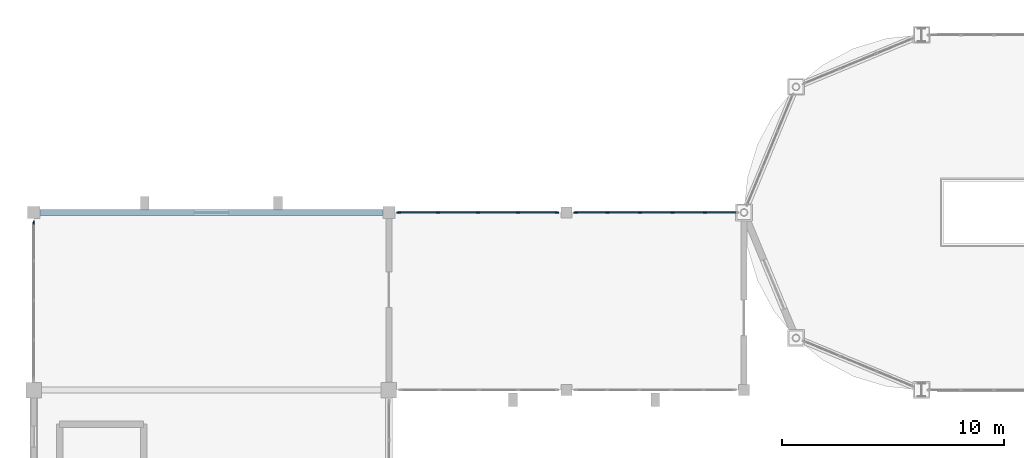
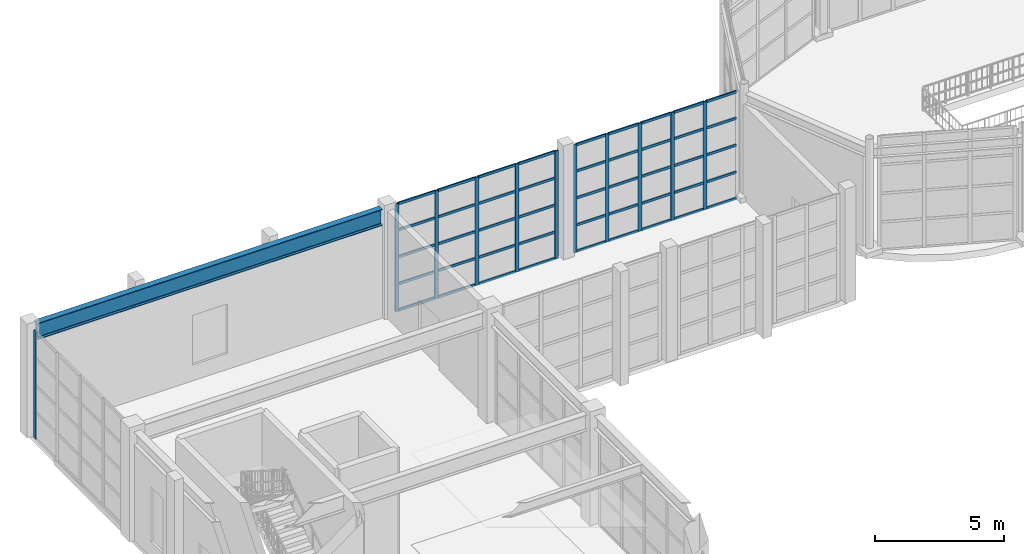
# One storey, part 28 of 82: 56 members, 1 beam, 3 elements without a shape of their own.
"""IFC4 building model written with IfcOpenShell, lengths in metres."""

from ifc_helpers import new_model, si_unit, direction, frame, origin, origin_2d, place, context, subcontext, project, spatial, rectangle, i_section, extrude, material, material_profile, profile_set, type_object, element, aggregate, save


model = new_model("IFC4")

# Units and contexts
model_context = context("Model", 3, precision=1e-05, world=origin(), true_north=direction((0.0, 1.0)))
body_context = subcontext(model_context, "Body", "Model", "MODEL_VIEW")
ifc_project = project(units=[si_unit("LENGTHUNIT", "METRE"), si_unit("AREAUNIT", "SQUARE_METRE"), si_unit("VOLUMEUNIT", "CUBIC_METRE"), si_unit("PLANEANGLEUNIT", "RADIAN"), si_unit("MASSUNIT", "GRAM", prefix="KILO")], contexts=[model_context])

# Site, building, storey
site_placement = place(None, origin())
site = spatial("IfcSite", under=ifc_project, at=site_placement, CompositionType="ELEMENT")
building_placement = place(site_placement, origin())
building = spatial("IfcBuilding", under=site, at=building_placement, Name="Serraluz Foothill Cableway Terminal", CompositionType="ELEMENT")
storey_placement = place(building_placement, frame((0.0, 0.0, 9.60009765625)))
storey = spatial("IfcBuildingStorey", under=building, at=storey_placement, Name="L02", CompositionType="ELEMENT", Elevation=9.60009765625)

# Beam
ifc_material_1 = material(Name="Steel ASTM A992 Grade 50", Category="steel")
ifc_material_profile_1 = material_profile(ifc_material_1, i_section(OverallWidth=0.26806640625, OverallDepth=0.77001953125, WebThickness=0.015625, FlangeThickness=0.025390625, FilletRadius=0.02197265625, at=origin_2d()), Name="W30X132")
ifc_profile_set_1 = profile_set([ifc_material_profile_1], Name="Steel ASTM A992 Grade 50")
beam_type = type_object("IfcBeamType", Name="TYP-BM-W30X132", PredefinedType="BEAM", material=ifc_profile_set_1)
beam_placement = place(storey_placement, frame((0.27099609375, 64.0, 4.764892578125), z_axis=(1.0, 0.0, 0.0), x_axis=(0.0, 1.0, 0.0)))
element("IfcBeam", 1, at=beam_placement, inside=storey, type_object=beam_type, Name="Primary Girder BM-X-L02-0311", PredefinedType="BEAM", context=body_context, shape_type="SweptSolid", body=[
    extrude(i_section(OverallWidth=0.26806640625, OverallDepth=0.77001953125, WebThickness=0.015625, FlangeThickness=0.025390625, FilletRadius=0.02197265625, at=origin_2d()), origin(), (0.0, 0.0, 1.0), 15.4580078125),
])

# Curtain wall, member
ifc_material_2 = material(Name="Architectural bronze alloy C28000", Category="aluminium")
curtain_wall_type_1 = type_object("IfcCurtainWallType", Name="TYP-CW-540X420", PredefinedType="NOTDEFINED", material=ifc_material_2)
curtain_wall_1_placement = place(storey_placement, origin())
curtain_wall_1 = element("IfcCurtainWall", 2, at=curtain_wall_1_placement, inside=storey, type_object=curtain_wall_type_1, Name="Ribbed Glazed Curtain Wall CW-V5W-L02-56", PredefinedType="NOTDEFINED")
ifc_material_profile_2 = material_profile(ifc_material_2, rectangle(XDim=0.06005859375, YDim=0.159912109375, at=origin_2d()), Name="ALU MULLION 60x160")
ifc_profile_set_2 = profile_set([ifc_material_profile_2], Name="Architectural bronze alloy C28000")
member_type_1 = type_object("IfcMemberType", Name="TYP-CW-MUL-60X160", PredefinedType="MULLION", material=ifc_profile_set_2)
member_1_placement = place(storey_placement, frame((0.0, 63.554931640625, 0.0), z_axis=(0.0, 0.0, 1.0), x_axis=(-1.0, 0.0, 0.0)))
member_1 = element("IfcMember", 3, at=member_1_placement, type_object=member_type_1, Name="CW-10 mullion 5", PredefinedType="MULLION", context=body_context, shape_type="SweptSolid", body=[
    extrude(rectangle(XDim=0.06005859375, YDim=0.159912109375, at=origin_2d()), origin(), (0.0, 0.0, 1.0), 5.099853515625),
])
aggregate(curtain_wall_1, [member_1])

# Curtain wall, members
curtain_wall_type_2 = type_object("IfcCurtainWallType", Name="TYP-CW-710X420", PredefinedType="NOTDEFINED", material=ifc_material_2)
curtain_wall_2_placement = place(storey_placement, origin())
curtain_wall_2 = element("IfcCurtainWall", 4, at=curtain_wall_2_placement, inside=storey, type_object=curtain_wall_type_2, Name="Ribbed Glazed Curtain Wall CW-WLN-L02-16", PredefinedType="NOTDEFINED")
member_2_placement = place(storey_placement, frame((16.445068359375, 64.0, 0.0), z_axis=(0.0, 0.0, 1.0), x_axis=(0.0, 1.0, 0.0)))
member_2 = element("IfcMember", 5, at=member_2_placement, type_object=member_type_1, Name="CW-01 mullion 1", PredefinedType="MULLION", context=body_context, shape_type="SweptSolid", body=[
    extrude(rectangle(XDim=0.06005859375, YDim=0.159912109375, at=origin_2d()), origin(), (0.0, 0.0, 1.0), 5.099853515625),
])
member_3_placement = place(storey_placement, frame((18.2138671875, 64.0, 0.0), z_axis=(0.0, 0.0, 1.0), x_axis=(0.0, 1.0, 0.0)))
member_3 = element("IfcMember", 6, at=member_3_placement, type_object=member_type_1, Name="CW-01 mullion 2", PredefinedType="MULLION", context=body_context, shape_type="SweptSolid", body=[
    extrude(rectangle(XDim=0.06005859375, YDim=0.159912109375, at=origin_2d()), origin(), (0.0, 0.0, 1.0), 5.099853515625),
])
member_4_placement = place(storey_placement, frame((20.012451171875, 64.0, 0.0), z_axis=(0.0, 0.0, 1.0), x_axis=(0.0, 1.0, 0.0)))
member_4 = element("IfcMember", 7, at=member_4_placement, type_object=member_type_1, Name="CW-01 mullion 3", PredefinedType="MULLION", context=body_context, shape_type="SweptSolid", body=[
    extrude(rectangle(XDim=0.06005859375, YDim=0.159912109375, at=origin_2d()), origin(), (0.0, 0.0, 1.0), 5.099853515625),
])
member_5_placement = place(storey_placement, frame((21.811279296875, 64.0, 0.0), z_axis=(0.0, 0.0, 1.0), x_axis=(0.0, 1.0, 0.0)))
member_5 = element("IfcMember", 8, at=member_5_placement, type_object=member_type_1, Name="CW-01 mullion 4", PredefinedType="MULLION", context=body_context, shape_type="SweptSolid", body=[
    extrude(rectangle(XDim=0.06005859375, YDim=0.159912109375, at=origin_2d()), origin(), (0.0, 0.0, 1.0), 5.099853515625),
])
member_6_placement = place(storey_placement, frame((23.580078125, 64.0, 0.0), z_axis=(0.0, 0.0, 1.0), x_axis=(0.0, 1.0, 0.0)))
member_6 = element("IfcMember", 9, at=member_6_placement, type_object=member_type_1, Name="CW-01 mullion 5", PredefinedType="MULLION", context=body_context, shape_type="SweptSolid", body=[
    extrude(rectangle(XDim=0.06005859375, YDim=0.159912109375, at=origin_2d()), origin(), (0.0, 0.0, 1.0), 5.099853515625),
])

curtain_wall_3_placement = place(storey_placement, origin())
curtain_wall_3 = element("IfcCurtainWall", 10, at=curtain_wall_3_placement, inside=storey, type_object=curtain_wall_type_2, Name="Ribbed Glazed Curtain Wall CW-WLN-L02-24", PredefinedType="NOTDEFINED")
member_7_placement = place(storey_placement, frame((24.419921875, 64.0, 0.0), z_axis=(0.0, 0.0, 1.0), x_axis=(0.0, 1.0, 0.0)))
member_7 = element("IfcMember", 11, at=member_7_placement, type_object=member_type_1, Name="CW-01 mullion 1", PredefinedType="MULLION", context=body_context, shape_type="SweptSolid", body=[
    extrude(rectangle(XDim=0.06005859375, YDim=0.159912109375, at=origin_2d()), origin(), (0.0, 0.0, 1.0), 5.099853515625),
])
member_8_placement = place(storey_placement, frame((25.8515625, 64.0, 0.0), z_axis=(0.0, 0.0, 1.0), x_axis=(0.0, 1.0, 0.0)))
member_8 = element("IfcMember", 12, at=member_8_placement, type_object=member_type_1, Name="CW-01 mullion 2", PredefinedType="MULLION", context=body_context, shape_type="SweptSolid", body=[
    extrude(rectangle(XDim=0.06005859375, YDim=0.159912109375, at=origin_2d()), origin(), (0.0, 0.0, 1.0), 5.099853515625),
])
member_9_placement = place(storey_placement, frame((27.313232421875, 64.0, 0.0), z_axis=(0.0, 0.0, 1.0), x_axis=(0.0, 1.0, 0.0)))
member_9 = element("IfcMember", 13, at=member_9_placement, type_object=member_type_1, Name="CW-01 mullion 3", PredefinedType="MULLION", context=body_context, shape_type="SweptSolid", body=[
    extrude(rectangle(XDim=0.06005859375, YDim=0.159912109375, at=origin_2d()), origin(), (0.0, 0.0, 1.0), 5.099853515625),
])
member_10_placement = place(storey_placement, frame((28.77490234375, 64.0, 0.0), z_axis=(0.0, 0.0, 1.0), x_axis=(0.0, 1.0, 0.0)))
member_10 = element("IfcMember", 14, at=member_10_placement, type_object=member_type_1, Name="CW-01 mullion 4", PredefinedType="MULLION", context=body_context, shape_type="SweptSolid", body=[
    extrude(rectangle(XDim=0.06005859375, YDim=0.159912109375, at=origin_2d()), origin(), (0.0, 0.0, 1.0), 5.099853515625),
])
member_11_placement = place(storey_placement, frame((30.236328125, 64.0, 0.0), z_axis=(0.0, 0.0, 1.0), x_axis=(0.0, 1.0, 0.0)))
member_11 = element("IfcMember", 15, at=member_11_placement, type_object=member_type_1, Name="CW-01 mullion 5", PredefinedType="MULLION", context=body_context, shape_type="SweptSolid", body=[
    extrude(rectangle(XDim=0.06005859375, YDim=0.159912109375, at=origin_2d()), origin(), (0.0, 0.0, 1.0), 5.099853515625),
])

# Member
ifc_material_profile_3 = material_profile(ifc_material_2, rectangle(XDim=0.06005859375, YDim=0.1201171875, at=origin_2d()), Name="ALU TRANSOM 60x120")
ifc_profile_set_3 = profile_set([ifc_material_profile_3], Name="Architectural bronze alloy C28000")
member_type_2 = type_object("IfcMemberType", Name="TYP-CW-TRN-60X120", PredefinedType="USERDEFINED", material=ifc_profile_set_3)
member_12_placement = place(storey_placement, frame((16.47509765625, 64.0, 0.02978515625), z_axis=(1.0, 0.0, 0.0), x_axis=(0.0, 1.0, 0.0)))
member_12 = element("IfcMember", 16, at=member_12_placement, type_object=member_type_2, Name="CW-01 transom 1.1", ObjectType="TRANSOM", PredefinedType="USERDEFINED", context=body_context, shape_type="SweptSolid", body=[
    extrude(rectangle(XDim=0.06005859375, YDim=0.1201171875, at=origin_2d()), origin(), (0.0, 0.0, 1.0), 1.708740234375),
])

member_13_placement = place(storey_placement, frame((16.47509765625, 64.0, 1.27490234375), z_axis=(1.0, 0.0, 0.0), x_axis=(0.0, 1.0, 0.0)))
member_13 = element("IfcMember", 17, at=member_13_placement, type_object=member_type_2, Name="CW-01 transom 1.2", ObjectType="TRANSOM", PredefinedType="USERDEFINED", context=body_context, shape_type="SweptSolid", body=[
    extrude(rectangle(XDim=0.06005859375, YDim=0.1201171875, at=origin_2d()), origin(), (0.0, 0.0, 1.0), 1.708740234375),
])

member_14_placement = place(storey_placement, frame((16.47509765625, 64.0, 2.5498046875), z_axis=(1.0, 0.0, 0.0), x_axis=(0.0, 1.0, 0.0)))
member_14 = element("IfcMember", 18, at=member_14_placement, type_object=member_type_2, Name="CW-01 transom 1.3", ObjectType="TRANSOM", PredefinedType="USERDEFINED", context=body_context, shape_type="SweptSolid", body=[
    extrude(rectangle(XDim=0.06005859375, YDim=0.1201171875, at=origin_2d()), origin(), (0.0, 0.0, 1.0), 1.708740234375),
])

member_15_placement = place(storey_placement, frame((16.47509765625, 64.0, 3.824951171875), z_axis=(1.0, 0.0, 0.0), x_axis=(0.0, 1.0, 0.0)))
member_15 = element("IfcMember", 19, at=member_15_placement, type_object=member_type_2, Name="CW-01 transom 1.4", ObjectType="TRANSOM", PredefinedType="USERDEFINED", context=body_context, shape_type="SweptSolid", body=[
    extrude(rectangle(XDim=0.06005859375, YDim=0.1201171875, at=origin_2d()), origin(), (0.0, 0.0, 1.0), 1.708740234375),
])

member_16_placement = place(storey_placement, frame((16.47509765625, 64.0, 5.06982421875), z_axis=(1.0, 0.0, 0.0), x_axis=(0.0, 1.0, 0.0)))
member_16 = element("IfcMember", 20, at=member_16_placement, type_object=member_type_2, Name="CW-01 transom 1.5", ObjectType="TRANSOM", PredefinedType="USERDEFINED", context=body_context, shape_type="SweptSolid", body=[
    extrude(rectangle(XDim=0.06005859375, YDim=0.1201171875, at=origin_2d()), origin(), (0.0, 0.0, 1.0), 1.708740234375),
])

member_17_placement = place(storey_placement, frame((18.24365234375, 64.0, 0.02978515625), z_axis=(1.0, 0.0, 0.0), x_axis=(0.0, 1.0, 0.0)))
member_17 = element("IfcMember", 21, at=member_17_placement, type_object=member_type_2, Name="CW-01 transom 2.1", ObjectType="TRANSOM", PredefinedType="USERDEFINED", context=body_context, shape_type="SweptSolid", body=[
    extrude(rectangle(XDim=0.06005859375, YDim=0.1201171875, at=origin_2d()), origin(), (0.0, 0.0, 1.0), 1.73876953125),
])

member_18_placement = place(storey_placement, frame((18.24365234375, 64.0, 1.27490234375), z_axis=(1.0, 0.0, 0.0), x_axis=(0.0, 1.0, 0.0)))
member_18 = element("IfcMember", 22, at=member_18_placement, type_object=member_type_2, Name="CW-01 transom 2.2", ObjectType="TRANSOM", PredefinedType="USERDEFINED", context=body_context, shape_type="SweptSolid", body=[
    extrude(rectangle(XDim=0.06005859375, YDim=0.1201171875, at=origin_2d()), origin(), (0.0, 0.0, 1.0), 1.73876953125),
])

member_19_placement = place(storey_placement, frame((18.24365234375, 64.0, 2.5498046875), z_axis=(1.0, 0.0, 0.0), x_axis=(0.0, 1.0, 0.0)))
member_19 = element("IfcMember", 23, at=member_19_placement, type_object=member_type_2, Name="CW-01 transom 2.3", ObjectType="TRANSOM", PredefinedType="USERDEFINED", context=body_context, shape_type="SweptSolid", body=[
    extrude(rectangle(XDim=0.06005859375, YDim=0.1201171875, at=origin_2d()), origin(), (0.0, 0.0, 1.0), 1.73876953125),
])

member_20_placement = place(storey_placement, frame((18.24365234375, 64.0, 3.824951171875), z_axis=(1.0, 0.0, 0.0), x_axis=(0.0, 1.0, 0.0)))
member_20 = element("IfcMember", 24, at=member_20_placement, type_object=member_type_2, Name="CW-01 transom 2.4", ObjectType="TRANSOM", PredefinedType="USERDEFINED", context=body_context, shape_type="SweptSolid", body=[
    extrude(rectangle(XDim=0.06005859375, YDim=0.1201171875, at=origin_2d()), origin(), (0.0, 0.0, 1.0), 1.73876953125),
])

member_21_placement = place(storey_placement, frame((18.24365234375, 64.0, 5.06982421875), z_axis=(1.0, 0.0, 0.0), x_axis=(0.0, 1.0, 0.0)))
member_21 = element("IfcMember", 25, at=member_21_placement, type_object=member_type_2, Name="CW-01 transom 2.5", ObjectType="TRANSOM", PredefinedType="USERDEFINED", context=body_context, shape_type="SweptSolid", body=[
    extrude(rectangle(XDim=0.06005859375, YDim=0.1201171875, at=origin_2d()), origin(), (0.0, 0.0, 1.0), 1.73876953125),
])

member_22_placement = place(storey_placement, frame((20.04248046875, 64.0, 0.02978515625), z_axis=(1.0, 0.0, 0.0), x_axis=(0.0, 1.0, 0.0)))
member_22 = element("IfcMember", 26, at=member_22_placement, type_object=member_type_2, Name="CW-01 transom 3.1", ObjectType="TRANSOM", PredefinedType="USERDEFINED", context=body_context, shape_type="SweptSolid", body=[
    extrude(rectangle(XDim=0.06005859375, YDim=0.1201171875, at=origin_2d()), origin(), (0.0, 0.0, 1.0), 1.73876953125),
])

member_23_placement = place(storey_placement, frame((20.04248046875, 64.0, 1.27490234375), z_axis=(1.0, 0.0, 0.0), x_axis=(0.0, 1.0, 0.0)))
member_23 = element("IfcMember", 27, at=member_23_placement, type_object=member_type_2, Name="CW-01 transom 3.2", ObjectType="TRANSOM", PredefinedType="USERDEFINED", context=body_context, shape_type="SweptSolid", body=[
    extrude(rectangle(XDim=0.06005859375, YDim=0.1201171875, at=origin_2d()), origin(), (0.0, 0.0, 1.0), 1.73876953125),
])

member_24_placement = place(storey_placement, frame((20.04248046875, 64.0, 2.5498046875), z_axis=(1.0, 0.0, 0.0), x_axis=(0.0, 1.0, 0.0)))
member_24 = element("IfcMember", 28, at=member_24_placement, type_object=member_type_2, Name="CW-01 transom 3.3", ObjectType="TRANSOM", PredefinedType="USERDEFINED", context=body_context, shape_type="SweptSolid", body=[
    extrude(rectangle(XDim=0.06005859375, YDim=0.1201171875, at=origin_2d()), origin(), (0.0, 0.0, 1.0), 1.73876953125),
])

member_25_placement = place(storey_placement, frame((20.04248046875, 64.0, 3.824951171875), z_axis=(1.0, 0.0, 0.0), x_axis=(0.0, 1.0, 0.0)))
member_25 = element("IfcMember", 29, at=member_25_placement, type_object=member_type_2, Name="CW-01 transom 3.4", ObjectType="TRANSOM", PredefinedType="USERDEFINED", context=body_context, shape_type="SweptSolid", body=[
    extrude(rectangle(XDim=0.06005859375, YDim=0.1201171875, at=origin_2d()), origin(), (0.0, 0.0, 1.0), 1.73876953125),
])

member_26_placement = place(storey_placement, frame((20.04248046875, 64.0, 5.06982421875), z_axis=(1.0, 0.0, 0.0), x_axis=(0.0, 1.0, 0.0)))
member_26 = element("IfcMember", 30, at=member_26_placement, type_object=member_type_2, Name="CW-01 transom 3.5", ObjectType="TRANSOM", PredefinedType="USERDEFINED", context=body_context, shape_type="SweptSolid", body=[
    extrude(rectangle(XDim=0.06005859375, YDim=0.1201171875, at=origin_2d()), origin(), (0.0, 0.0, 1.0), 1.73876953125),
])

member_27_placement = place(storey_placement, frame((21.84130859375, 64.0, 0.02978515625), z_axis=(1.0, 0.0, 0.0), x_axis=(0.0, 1.0, 0.0)))
member_27 = element("IfcMember", 31, at=member_27_placement, type_object=member_type_2, Name="CW-01 transom 4.1", ObjectType="TRANSOM", PredefinedType="USERDEFINED", context=body_context, shape_type="SweptSolid", body=[
    extrude(rectangle(XDim=0.06005859375, YDim=0.1201171875, at=origin_2d()), origin(), (0.0, 0.0, 1.0), 1.708740234375),
])

member_28_placement = place(storey_placement, frame((21.84130859375, 64.0, 1.27490234375), z_axis=(1.0, 0.0, 0.0), x_axis=(0.0, 1.0, 0.0)))
member_28 = element("IfcMember", 32, at=member_28_placement, type_object=member_type_2, Name="CW-01 transom 4.2", ObjectType="TRANSOM", PredefinedType="USERDEFINED", context=body_context, shape_type="SweptSolid", body=[
    extrude(rectangle(XDim=0.06005859375, YDim=0.1201171875, at=origin_2d()), origin(), (0.0, 0.0, 1.0), 1.708740234375),
])

member_29_placement = place(storey_placement, frame((21.84130859375, 64.0, 2.5498046875), z_axis=(1.0, 0.0, 0.0), x_axis=(0.0, 1.0, 0.0)))
member_29 = element("IfcMember", 33, at=member_29_placement, type_object=member_type_2, Name="CW-01 transom 4.3", ObjectType="TRANSOM", PredefinedType="USERDEFINED", context=body_context, shape_type="SweptSolid", body=[
    extrude(rectangle(XDim=0.06005859375, YDim=0.1201171875, at=origin_2d()), origin(), (0.0, 0.0, 1.0), 1.708740234375),
])

member_30_placement = place(storey_placement, frame((21.84130859375, 64.0, 3.824951171875), z_axis=(1.0, 0.0, 0.0), x_axis=(0.0, 1.0, 0.0)))
member_30 = element("IfcMember", 34, at=member_30_placement, type_object=member_type_2, Name="CW-01 transom 4.4", ObjectType="TRANSOM", PredefinedType="USERDEFINED", context=body_context, shape_type="SweptSolid", body=[
    extrude(rectangle(XDim=0.06005859375, YDim=0.1201171875, at=origin_2d()), origin(), (0.0, 0.0, 1.0), 1.708740234375),
])

member_31_placement = place(storey_placement, frame((21.84130859375, 64.0, 5.06982421875), z_axis=(1.0, 0.0, 0.0), x_axis=(0.0, 1.0, 0.0)))
member_31 = element("IfcMember", 35, at=member_31_placement, type_object=member_type_2, Name="CW-01 transom 4.5", ObjectType="TRANSOM", PredefinedType="USERDEFINED", context=body_context, shape_type="SweptSolid", body=[
    extrude(rectangle(XDim=0.06005859375, YDim=0.1201171875, at=origin_2d()), origin(), (0.0, 0.0, 1.0), 1.708740234375),
])

aggregate(curtain_wall_2, [member_2, member_3, member_4, member_5, member_6, member_12, member_13, member_14, member_15, member_16, member_17, member_18, member_19, member_20, member_21, member_22, member_23, member_24, member_25, member_26, member_27, member_28, member_29, member_30, member_31])

member_32_placement = place(storey_placement, frame((24.449951171875, 64.0, 0.02978515625), z_axis=(1.0, 0.0, 0.0), x_axis=(0.0, 1.0, 0.0)))
member_32 = element("IfcMember", 36, at=member_32_placement, type_object=member_type_2, Name="CW-01 transom 1.1", ObjectType="TRANSOM", PredefinedType="USERDEFINED", context=body_context, shape_type="SweptSolid", body=[
    extrude(rectangle(XDim=0.06005859375, YDim=0.1201171875, at=origin_2d()), origin(), (0.0, 0.0, 1.0), 1.37158203125),
])

member_33_placement = place(storey_placement, frame((24.449951171875, 64.0, 1.27490234375), z_axis=(1.0, 0.0, 0.0), x_axis=(0.0, 1.0, 0.0)))
member_33 = element("IfcMember", 37, at=member_33_placement, type_object=member_type_2, Name="CW-01 transom 1.2", ObjectType="TRANSOM", PredefinedType="USERDEFINED", context=body_context, shape_type="SweptSolid", body=[
    extrude(rectangle(XDim=0.06005859375, YDim=0.1201171875, at=origin_2d()), origin(), (0.0, 0.0, 1.0), 1.37158203125),
])

member_34_placement = place(storey_placement, frame((24.449951171875, 64.0, 2.5498046875), z_axis=(1.0, 0.0, 0.0), x_axis=(0.0, 1.0, 0.0)))
member_34 = element("IfcMember", 38, at=member_34_placement, type_object=member_type_2, Name="CW-01 transom 1.3", ObjectType="TRANSOM", PredefinedType="USERDEFINED", context=body_context, shape_type="SweptSolid", body=[
    extrude(rectangle(XDim=0.06005859375, YDim=0.1201171875, at=origin_2d()), origin(), (0.0, 0.0, 1.0), 1.37158203125),
])

member_35_placement = place(storey_placement, frame((24.449951171875, 64.0, 3.824951171875), z_axis=(1.0, 0.0, 0.0), x_axis=(0.0, 1.0, 0.0)))
member_35 = element("IfcMember", 39, at=member_35_placement, type_object=member_type_2, Name="CW-01 transom 1.4", ObjectType="TRANSOM", PredefinedType="USERDEFINED", context=body_context, shape_type="SweptSolid", body=[
    extrude(rectangle(XDim=0.06005859375, YDim=0.1201171875, at=origin_2d()), origin(), (0.0, 0.0, 1.0), 1.37158203125),
])

member_36_placement = place(storey_placement, frame((24.449951171875, 64.0, 5.06982421875), z_axis=(1.0, 0.0, 0.0), x_axis=(0.0, 1.0, 0.0)))
member_36 = element("IfcMember", 40, at=member_36_placement, type_object=member_type_2, Name="CW-01 transom 1.5", ObjectType="TRANSOM", PredefinedType="USERDEFINED", context=body_context, shape_type="SweptSolid", body=[
    extrude(rectangle(XDim=0.06005859375, YDim=0.1201171875, at=origin_2d()), origin(), (0.0, 0.0, 1.0), 1.37158203125),
])

member_37_placement = place(storey_placement, frame((25.881591796875, 64.0, 0.02978515625), z_axis=(1.0, 0.0, 0.0), x_axis=(0.0, 1.0, 0.0)))
member_37 = element("IfcMember", 41, at=member_37_placement, type_object=member_type_2, Name="CW-01 transom 2.1", ObjectType="TRANSOM", PredefinedType="USERDEFINED", context=body_context, shape_type="SweptSolid", body=[
    extrude(rectangle(XDim=0.06005859375, YDim=0.1201171875, at=origin_2d()), origin(), (0.0, 0.0, 1.0), 1.401611328125),
])

member_38_placement = place(storey_placement, frame((25.881591796875, 64.0, 1.27490234375), z_axis=(1.0, 0.0, 0.0), x_axis=(0.0, 1.0, 0.0)))
member_38 = element("IfcMember", 42, at=member_38_placement, type_object=member_type_2, Name="CW-01 transom 2.2", ObjectType="TRANSOM", PredefinedType="USERDEFINED", context=body_context, shape_type="SweptSolid", body=[
    extrude(rectangle(XDim=0.06005859375, YDim=0.1201171875, at=origin_2d()), origin(), (0.0, 0.0, 1.0), 1.401611328125),
])

member_39_placement = place(storey_placement, frame((25.881591796875, 64.0, 2.5498046875), z_axis=(1.0, 0.0, 0.0), x_axis=(0.0, 1.0, 0.0)))
member_39 = element("IfcMember", 43, at=member_39_placement, type_object=member_type_2, Name="CW-01 transom 2.3", ObjectType="TRANSOM", PredefinedType="USERDEFINED", context=body_context, shape_type="SweptSolid", body=[
    extrude(rectangle(XDim=0.06005859375, YDim=0.1201171875, at=origin_2d()), origin(), (0.0, 0.0, 1.0), 1.401611328125),
])

member_40_placement = place(storey_placement, frame((25.881591796875, 64.0, 3.824951171875), z_axis=(1.0, 0.0, 0.0), x_axis=(0.0, 1.0, 0.0)))
member_40 = element("IfcMember", 44, at=member_40_placement, type_object=member_type_2, Name="CW-01 transom 2.4", ObjectType="TRANSOM", PredefinedType="USERDEFINED", context=body_context, shape_type="SweptSolid", body=[
    extrude(rectangle(XDim=0.06005859375, YDim=0.1201171875, at=origin_2d()), origin(), (0.0, 0.0, 1.0), 1.401611328125),
])

member_41_placement = place(storey_placement, frame((25.881591796875, 64.0, 5.06982421875), z_axis=(1.0, 0.0, 0.0), x_axis=(0.0, 1.0, 0.0)))
member_41 = element("IfcMember", 45, at=member_41_placement, type_object=member_type_2, Name="CW-01 transom 2.5", ObjectType="TRANSOM", PredefinedType="USERDEFINED", context=body_context, shape_type="SweptSolid", body=[
    extrude(rectangle(XDim=0.06005859375, YDim=0.1201171875, at=origin_2d()), origin(), (0.0, 0.0, 1.0), 1.401611328125),
])

member_42_placement = place(storey_placement, frame((27.34326171875, 64.0, 0.02978515625), z_axis=(1.0, 0.0, 0.0), x_axis=(0.0, 1.0, 0.0)))
member_42 = element("IfcMember", 46, at=member_42_placement, type_object=member_type_2, Name="CW-01 transom 3.1", ObjectType="TRANSOM", PredefinedType="USERDEFINED", context=body_context, shape_type="SweptSolid", body=[
    extrude(rectangle(XDim=0.06005859375, YDim=0.1201171875, at=origin_2d()), origin(), (0.0, 0.0, 1.0), 1.401611328125),
])

member_43_placement = place(storey_placement, frame((27.34326171875, 64.0, 1.27490234375), z_axis=(1.0, 0.0, 0.0), x_axis=(0.0, 1.0, 0.0)))
member_43 = element("IfcMember", 47, at=member_43_placement, type_object=member_type_2, Name="CW-01 transom 3.2", ObjectType="TRANSOM", PredefinedType="USERDEFINED", context=body_context, shape_type="SweptSolid", body=[
    extrude(rectangle(XDim=0.06005859375, YDim=0.1201171875, at=origin_2d()), origin(), (0.0, 0.0, 1.0), 1.401611328125),
])

member_44_placement = place(storey_placement, frame((27.34326171875, 64.0, 2.5498046875), z_axis=(1.0, 0.0, 0.0), x_axis=(0.0, 1.0, 0.0)))
member_44 = element("IfcMember", 48, at=member_44_placement, type_object=member_type_2, Name="CW-01 transom 3.3", ObjectType="TRANSOM", PredefinedType="USERDEFINED", context=body_context, shape_type="SweptSolid", body=[
    extrude(rectangle(XDim=0.06005859375, YDim=0.1201171875, at=origin_2d()), origin(), (0.0, 0.0, 1.0), 1.401611328125),
])

member_45_placement = place(storey_placement, frame((27.34326171875, 64.0, 3.824951171875), z_axis=(1.0, 0.0, 0.0), x_axis=(0.0, 1.0, 0.0)))
member_45 = element("IfcMember", 49, at=member_45_placement, type_object=member_type_2, Name="CW-01 transom 3.4", ObjectType="TRANSOM", PredefinedType="USERDEFINED", context=body_context, shape_type="SweptSolid", body=[
    extrude(rectangle(XDim=0.06005859375, YDim=0.1201171875, at=origin_2d()), origin(), (0.0, 0.0, 1.0), 1.401611328125),
])

member_46_placement = place(storey_placement, frame((27.34326171875, 64.0, 5.06982421875), z_axis=(1.0, 0.0, 0.0), x_axis=(0.0, 1.0, 0.0)))
member_46 = element("IfcMember", 50, at=member_46_placement, type_object=member_type_2, Name="CW-01 transom 3.5", ObjectType="TRANSOM", PredefinedType="USERDEFINED", context=body_context, shape_type="SweptSolid", body=[
    extrude(rectangle(XDim=0.06005859375, YDim=0.1201171875, at=origin_2d()), origin(), (0.0, 0.0, 1.0), 1.401611328125),
])

member_47_placement = place(storey_placement, frame((28.8046875, 64.0, 0.02978515625), z_axis=(1.0, 0.0, 0.0), x_axis=(0.0, 1.0, 0.0)))
member_47 = element("IfcMember", 51, at=member_47_placement, type_object=member_type_2, Name="CW-01 transom 4.1", ObjectType="TRANSOM", PredefinedType="USERDEFINED", context=body_context, shape_type="SweptSolid", body=[
    extrude(rectangle(XDim=0.06005859375, YDim=0.1201171875, at=origin_2d()), origin(), (0.0, 0.0, 1.0), 1.401611328125),
])

member_48_placement = place(storey_placement, frame((28.8046875, 64.0, 1.27490234375), z_axis=(1.0, 0.0, 0.0), x_axis=(0.0, 1.0, 0.0)))
member_48 = element("IfcMember", 52, at=member_48_placement, type_object=member_type_2, Name="CW-01 transom 4.2", ObjectType="TRANSOM", PredefinedType="USERDEFINED", context=body_context, shape_type="SweptSolid", body=[
    extrude(rectangle(XDim=0.06005859375, YDim=0.1201171875, at=origin_2d()), origin(), (0.0, 0.0, 1.0), 1.401611328125),
])

member_49_placement = place(storey_placement, frame((28.8046875, 64.0, 2.5498046875), z_axis=(1.0, 0.0, 0.0), x_axis=(0.0, 1.0, 0.0)))
member_49 = element("IfcMember", 53, at=member_49_placement, type_object=member_type_2, Name="CW-01 transom 4.3", ObjectType="TRANSOM", PredefinedType="USERDEFINED", context=body_context, shape_type="SweptSolid", body=[
    extrude(rectangle(XDim=0.06005859375, YDim=0.1201171875, at=origin_2d()), origin(), (0.0, 0.0, 1.0), 1.401611328125),
])

member_50_placement = place(storey_placement, frame((28.8046875, 64.0, 3.824951171875), z_axis=(1.0, 0.0, 0.0), x_axis=(0.0, 1.0, 0.0)))
member_50 = element("IfcMember", 54, at=member_50_placement, type_object=member_type_2, Name="CW-01 transom 4.4", ObjectType="TRANSOM", PredefinedType="USERDEFINED", context=body_context, shape_type="SweptSolid", body=[
    extrude(rectangle(XDim=0.06005859375, YDim=0.1201171875, at=origin_2d()), origin(), (0.0, 0.0, 1.0), 1.401611328125),
])

member_51_placement = place(storey_placement, frame((28.8046875, 64.0, 5.06982421875), z_axis=(1.0, 0.0, 0.0), x_axis=(0.0, 1.0, 0.0)))
member_51 = element("IfcMember", 55, at=member_51_placement, type_object=member_type_2, Name="CW-01 transom 4.5", ObjectType="TRANSOM", PredefinedType="USERDEFINED", context=body_context, shape_type="SweptSolid", body=[
    extrude(rectangle(XDim=0.06005859375, YDim=0.1201171875, at=origin_2d()), origin(), (0.0, 0.0, 1.0), 1.401611328125),
])

member_52_placement = place(storey_placement, frame((30.266357421875, 64.0, 0.02978515625), z_axis=(1.0, 0.0, 0.0), x_axis=(0.0, 1.0, 0.0)))
member_52 = element("IfcMember", 56, at=member_52_placement, type_object=member_type_2, Name="CW-01 transom 5.1", ObjectType="TRANSOM", PredefinedType="USERDEFINED", context=body_context, shape_type="SweptSolid", body=[
    extrude(rectangle(XDim=0.06005859375, YDim=0.1201171875, at=origin_2d()), origin(), (0.0, 0.0, 1.0), 1.37158203125),
])

member_53_placement = place(storey_placement, frame((30.266357421875, 64.0, 1.27490234375), z_axis=(1.0, 0.0, 0.0), x_axis=(0.0, 1.0, 0.0)))
member_53 = element("IfcMember", 57, at=member_53_placement, type_object=member_type_2, Name="CW-01 transom 5.2", ObjectType="TRANSOM", PredefinedType="USERDEFINED", context=body_context, shape_type="SweptSolid", body=[
    extrude(rectangle(XDim=0.06005859375, YDim=0.1201171875, at=origin_2d()), origin(), (0.0, 0.0, 1.0), 1.37158203125),
])

member_54_placement = place(storey_placement, frame((30.266357421875, 64.0, 2.5498046875), z_axis=(1.0, 0.0, 0.0), x_axis=(0.0, 1.0, 0.0)))
member_54 = element("IfcMember", 58, at=member_54_placement, type_object=member_type_2, Name="CW-01 transom 5.3", ObjectType="TRANSOM", PredefinedType="USERDEFINED", context=body_context, shape_type="SweptSolid", body=[
    extrude(rectangle(XDim=0.06005859375, YDim=0.1201171875, at=origin_2d()), origin(), (0.0, 0.0, 1.0), 1.37158203125),
])

member_55_placement = place(storey_placement, frame((30.266357421875, 64.0, 3.824951171875), z_axis=(1.0, 0.0, 0.0), x_axis=(0.0, 1.0, 0.0)))
member_55 = element("IfcMember", 59, at=member_55_placement, type_object=member_type_2, Name="CW-01 transom 5.4", ObjectType="TRANSOM", PredefinedType="USERDEFINED", context=body_context, shape_type="SweptSolid", body=[
    extrude(rectangle(XDim=0.06005859375, YDim=0.1201171875, at=origin_2d()), origin(), (0.0, 0.0, 1.0), 1.37158203125),
])

member_56_placement = place(storey_placement, frame((30.266357421875, 64.0, 5.06982421875), z_axis=(1.0, 0.0, 0.0), x_axis=(0.0, 1.0, 0.0)))
member_56 = element("IfcMember", 60, at=member_56_placement, type_object=member_type_2, Name="CW-01 transom 5.5", ObjectType="TRANSOM", PredefinedType="USERDEFINED", context=body_context, shape_type="SweptSolid", body=[
    extrude(rectangle(XDim=0.06005859375, YDim=0.1201171875, at=origin_2d()), origin(), (0.0, 0.0, 1.0), 1.37158203125),
])

aggregate(curtain_wall_3, [member_7, member_8, member_9, member_10, member_11, member_32, member_33, member_34, member_35, member_36, member_37, member_38, member_39, member_40, member_41, member_42, member_43, member_44, member_45, member_46, member_47, member_48, member_49, member_50, member_51, member_52, member_53, member_54, member_55, member_56])

save(model, "model.ifc")
